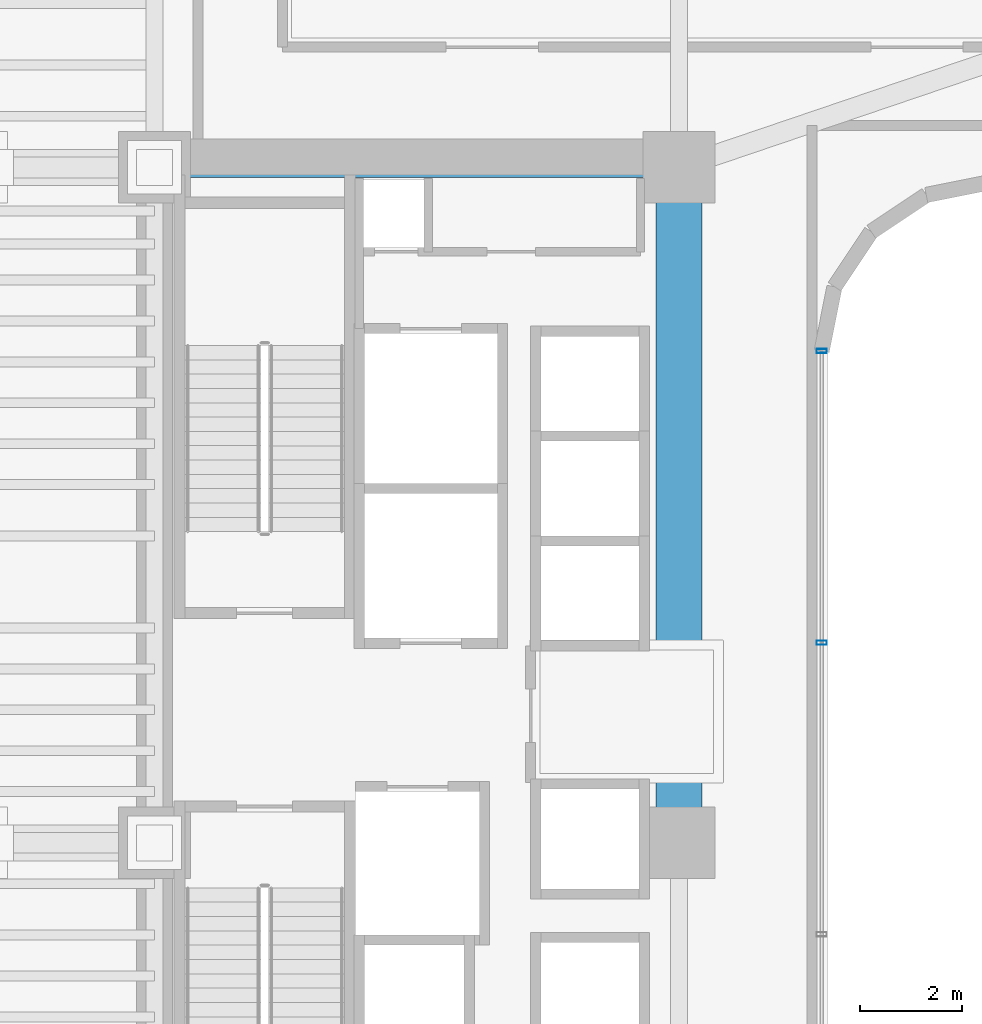
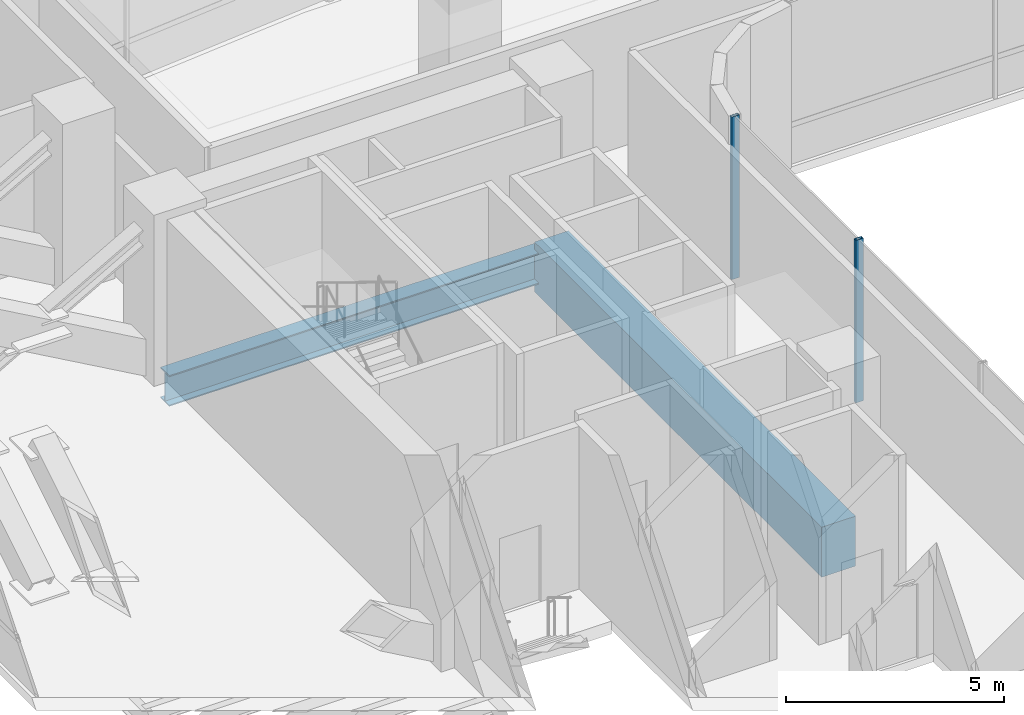
# One storey, part 12 of 39: 2 beams, 2 members, 1 element without a shape of its own.
"""IFC4 building model written with IfcOpenShell, lengths in metres."""

from ifc_helpers import new_model, si_unit, direction, frame, origin, origin_2d, place, context, subcontext, project, spatial, rectangle, hollow_rectangle, i_section, extrude, source, transform, mapped, material, material_profile, profile_set, type_object, element, aggregate, save


model = new_model("IFC4")

# Units and contexts
model_context = context("Model", 3, precision=1e-05, world=origin(), true_north=direction((0.0, 1.0)))
body_context = subcontext(model_context, "Body", "Model", "MODEL_VIEW")
ifc_project = project(units=[si_unit("LENGTHUNIT", "METRE"), si_unit("AREAUNIT", "SQUARE_METRE"), si_unit("VOLUMEUNIT", "CUBIC_METRE"), si_unit("PLANEANGLEUNIT", "RADIAN"), si_unit("MASSUNIT", "GRAM", prefix="KILO")], contexts=[model_context])

# Site, building, storey
site_placement = place(None, origin())
site = spatial("IfcSite", under=ifc_project, at=site_placement, CompositionType="ELEMENT")
building_placement = place(site_placement, origin())
building = spatial("IfcBuilding", under=site, at=building_placement, Name="Valdorenza Pilgrim Sanctuary Tower", CompositionType="ELEMENT")
storey_placement = place(building_placement, frame((0.0, 0.0, 96.300048828125)))
storey = spatial("IfcBuildingStorey", under=building, at=storey_placement, Name="L24", CompositionType="ELEMENT", Elevation=96.300048828125)

# Beams
ifc_material_1 = material(Name="Concrete C60/75", Category="concrete")
ifc_material_profile_1 = material_profile(ifc_material_1, rectangle(XDim=0.89990234375, YDim=1.39990234375, at=origin_2d()), Name="RC 1400x900")
ifc_profile_set_1 = profile_set([ifc_material_profile_1], Name="Concrete C60/75")
beam_type_1 = type_object("IfcBeamType", Name="STR-BM-LNT-1400", PredefinedType="LINTEL", material=ifc_profile_set_1)
shared_shape_1 = source(origin(), body_context, "Body", "SweptSolid", [
    extrude(rectangle(XDim=0.89990234375, YDim=1.39990234375, at=origin_2d()), origin(), (0.0, 0.0, 1.0), 13.2001953125),
])
beam_1_placement = place(storey_placement, frame((-12.39990234375, -2.60009765625, -0.739990234375), z_axis=(0.0, 1.0, 0.0), x_axis=(-1.0, 0.0, 0.0)))
element("IfcBeam", 1, at=beam_1_placement, inside=storey, type_object=beam_type_1, Name="L24 Core A Coupling Lintel Girder", PredefinedType="LINTEL", context=body_context, shape_type="MappedRepresentation", body=[
    mapped(shared_shape_1, transform((0.0, 0.0, 0.0), x_axis=(1.0, 0.0, 0.0), y_axis=(0.0, 1.0, 0.0), z_axis=(0.0, 0.0, 1.0), scale=1.0)),
])
ifc_material_2 = material(Name="Steel ASTM A992 Grade 50", Category="steel")
ifc_material_profile_2 = material_profile(ifc_material_2, i_section(OverallWidth=0.39990234375, OverallDepth=0.862060546875, WebThickness=0.019775390625, FlangeThickness=0.032470703125, at=origin_2d()), Name="W33X221")
ifc_profile_set_2 = profile_set([ifc_material_profile_2], Name="Steel ASTM A992 Grade 50")
beam_type_2 = type_object("IfcBeamType", Name="STR-BM-GRD-W33", PredefinedType="BEAM", material=ifc_profile_set_2)
shared_shape_2 = source(origin(), body_context, "Body", "SweptSolid", [
    extrude(i_section(OverallWidth=0.39990234375, OverallDepth=0.862060546875, WebThickness=0.019775390625, FlangeThickness=0.032470703125, at=origin_2d()), origin(), (0.0, 0.0, 1.0), 10.25),
])
beam_2_placement = place(storey_placement, frame((-22.64990234375, 10.60009765625, -0.671142578125), z_axis=(1.0, 0.0, 0.0), x_axis=(0.0, 1.0, 0.0)))
element("IfcBeam", 2, at=beam_2_placement, inside=storey, type_object=beam_type_2, Name="L24 Floor Girder CA-XC-N1", PredefinedType="BEAM", context=body_context, shape_type="MappedRepresentation", body=[
    mapped(shared_shape_2, transform((0.0, 0.0, 0.0), x_axis=(1.0, 0.0, 0.0), y_axis=(0.0, 1.0, 0.0), z_axis=(0.0, 0.0, 1.0), scale=1.0)),
])

# Curtain wall, members
ifc_material_3 = material(Name="Curtain-wall IGU glazing", Category="glass")
curtain_wall_type = type_object("IfcCurtainWallType", Name="CW-SYS-02", PredefinedType="NOTDEFINED", material=ifc_material_3)
curtain_wall_placement = place(storey_placement, origin())
curtain_wall = element("IfcCurtainWall", 3, at=curtain_wall_placement, inside=storey, type_object=curtain_wall_type, Name="L24 Curtain Wall CW-L24-1-41", PredefinedType="NOTDEFINED")
ifc_material_4 = material(Name="Anodised aluminium AW-6060", Category="aluminium")
ifc_material_profile_3 = material_profile(ifc_material_4, hollow_rectangle(XDim=0.0849609375, YDim=0.199951171875, WallThickness=0.0048828125, at=origin_2d()), Name="ALU-M 200x85x5")
ifc_profile_set_3 = profile_set([ifc_material_profile_3], Name="Anodised aluminium AW-6060")
member_type = type_object("IfcMemberType", Name="CW-MUL-02", PredefinedType="MULLION", material=ifc_profile_set_3)
shared_shape_3 = source(origin(), body_context, "Body", "SweptSolid", [
    extrude(hollow_rectangle(XDim=0.0849609375, YDim=0.199951171875, WallThickness=0.0048828125, at=origin_2d()), origin(), (0.0, 0.0, 1.0), 4.56005859375),
])
member_1_placement = place(storey_placement, frame((-9.610107421875, 7.0107421875, 0.0), z_axis=(0.0, 0.0, 1.0), x_axis=(0.0, -1.0, 0.0)))
member_1 = element("IfcMember", 4, at=member_1_placement, type_object=member_type, Name="CW-L24-1-41 Mullion 1", PredefinedType="MULLION", context=body_context, shape_type="MappedRepresentation", body=[
    mapped(shared_shape_3, transform((0.0, 0.0, 0.0), x_axis=(1.0, 0.0, 0.0), y_axis=(0.0, 1.0, 0.0), z_axis=(0.0, 0.0, 1.0), scale=1.0)),
])
member_2_placement = place(storey_placement, frame((-9.610107421875, 1.310791015625, 0.0), z_axis=(0.0, 0.0, 1.0), x_axis=(0.0, -1.0, 0.0)))
member_2 = element("IfcMember", 5, at=member_2_placement, type_object=member_type, Name="CW-L24-1-41 Mullion 2", PredefinedType="MULLION", context=body_context, shape_type="MappedRepresentation", body=[
    mapped(shared_shape_3, transform((0.0, 0.0, 0.0), x_axis=(1.0, 0.0, 0.0), y_axis=(0.0, 1.0, 0.0), z_axis=(0.0, 0.0, 1.0), scale=1.0)),
])
aggregate(curtain_wall, [member_1, member_2])

save(model, "model.ifc")
